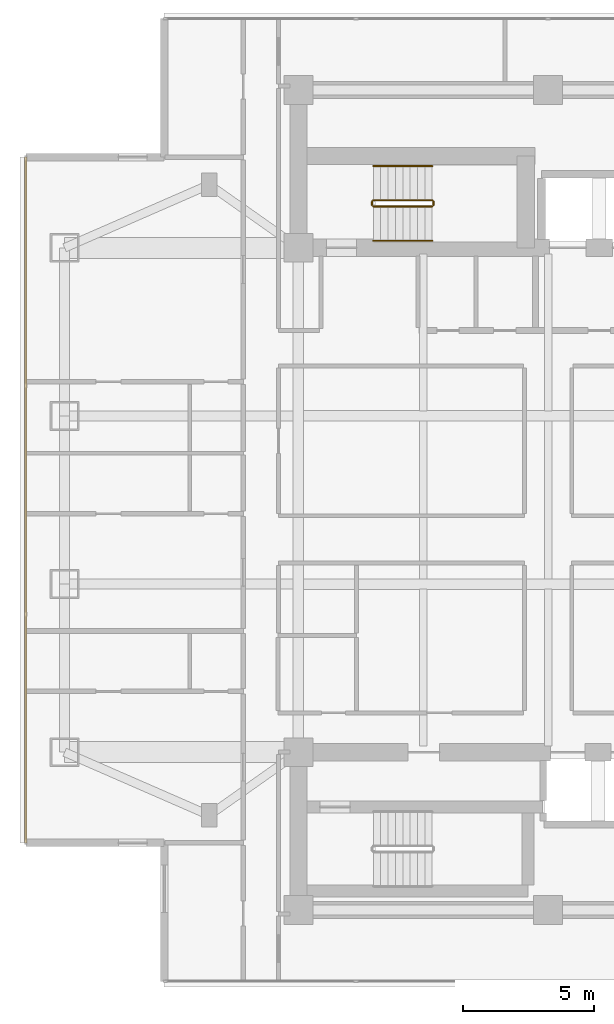
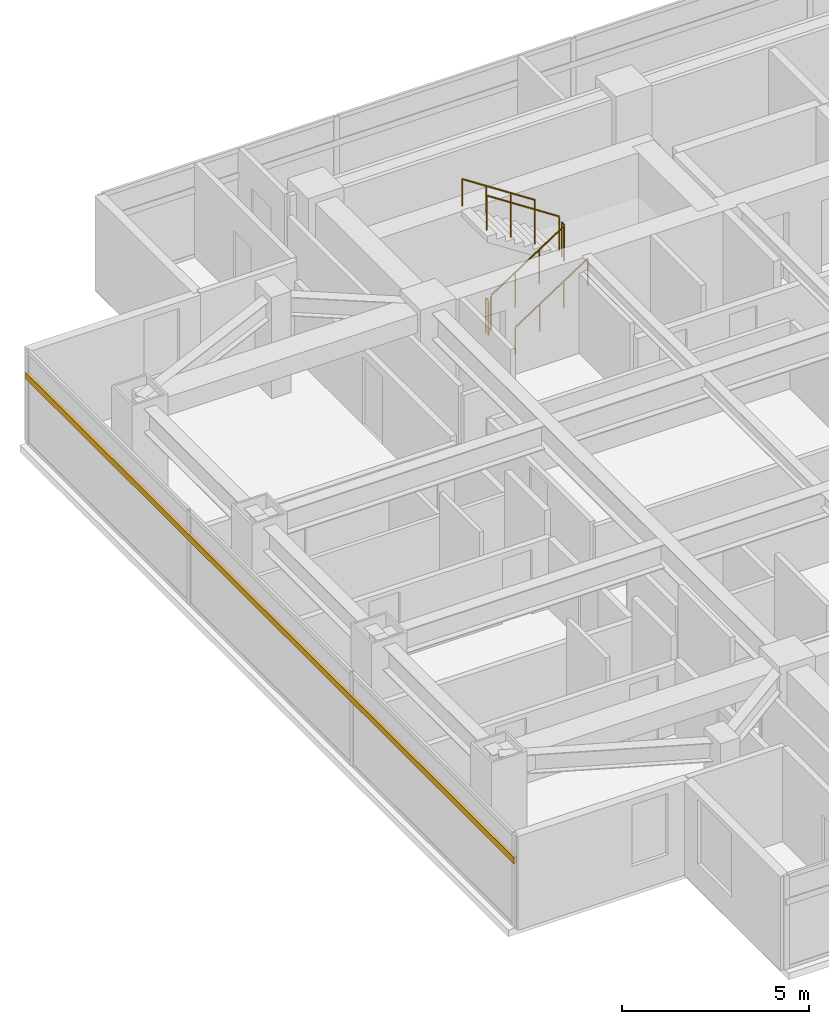
# One storey, part 21 of 24: 6 railings, 1 shading device.
"""IFC4 building model written with IfcOpenShell, lengths in metres."""

from ifc_helpers import new_model, si_unit, direction, frame, origin, origin_2d, place, context, subcontext, project, spatial, rectangle, circle, extrude, material, material_profile, profile_set, type_object, element, save


model = new_model("IFC4")

# Units and contexts
model_context = context("Model", 3, precision=1e-05, world=origin(), true_north=direction((0.0, 1.0)))
body_context = subcontext(model_context, "Body", "Model", "MODEL_VIEW")
ifc_project = project(units=[si_unit("LENGTHUNIT", "METRE"), si_unit("AREAUNIT", "SQUARE_METRE"), si_unit("VOLUMEUNIT", "CUBIC_METRE"), si_unit("PLANEANGLEUNIT", "RADIAN"), si_unit("MASSUNIT", "GRAM", prefix="KILO")], contexts=[model_context])

# Site, building, storey
site_placement = place(None, origin())
site = spatial("IfcSite", under=ifc_project, at=site_placement, CompositionType="ELEMENT")
building_placement = place(site_placement, origin())
building = spatial("IfcBuilding", under=site, at=building_placement, Name="Mirazonda Arch Towers", CompositionType="ELEMENT")
storey_placement = place(building_placement, frame((0.0, 0.0, 118.10009765625)))
storey = spatial("IfcBuildingStorey", under=building, at=storey_placement, Name="L33", CompositionType="ELEMENT", Elevation=118.10009765625)

# Shading device
ifc_material_1 = material(Name="Kiln-Fired Architectural Terracotta", Category="masonry")
ifc_material_profile = material_profile(ifc_material_1, rectangle(XDim=0.10009765625, YDim=0.199951171875, at=origin_2d()), Name="TERRA-BAG-100x200")
ifc_profile_set = profile_set([ifc_material_profile], Name="Kiln-Fired Architectural Terracotta")
shading_device_type = type_object("IfcShadingDeviceType", Name="BAGUETTE-2", PredefinedType="USERDEFINED", material=ifc_profile_set)
shading_device_placement = place(storey_placement, frame((0.6201171875, 41.050048828125, 2.203125), z_axis=(0.0, -1.0, 0.0), x_axis=(1.0, 0.0, 0.0)))
element("IfcShadingDevice", 1, at=shading_device_placement, inside=storey, type_object=shading_device_type, Name="L33 Glazed Terracotta Sun-Screen Baguette CW-L33-T1-W", ObjectType="BAGUETTE", PredefinedType="USERDEFINED", context=body_context, shape_type="SweptSolid", body=[
    extrude(rectangle(XDim=0.10009765625, YDim=0.199951171875, at=origin_2d()), origin(), (0.0, 0.0, 1.0), 26.10009765625),
])

# Railings
ifc_material_2 = material(Name="Architectural Brushed Steel S355", Category="steel")
railing_type_1 = type_object("IfcRailingType", Name="GUARD-STAIR-1120", PredefinedType="GUARDRAIL", material=ifc_material_2)
railing_1_placement = place(storey_placement, frame((13.85009765625, 39.169921875, 0.183349609375)))
element("IfcRailing", 2, at=railing_1_placement, inside=storey, type_object=railing_type_1, Name="L33 ST-T1N stair guard 1", PredefinedType="GUARDRAIL", context=body_context, shape_type="SweptSolid", body=[
    extrude(circle(Radius=0.02392578125, at=origin_2d()), frame((0.0, 0.0, 1.1259765625), z_axis=(0.836636935527, 0.0, 0.547757827979), x_axis=(0.0, 1.0, 0.0)), (0.0, 0.0, 1.0), 2.677490234375),
    extrude(circle(Radius=0.02099609375, at=origin_2d()), origin(), (0.0, 0.0, 1.0), 1.101806640625),
    extrude(circle(Radius=0.02099609375, at=origin_2d()), frame((0.74658203125, 0.0, 0.48876953125)), (0.0, 0.0, 1.0), 1.101806640625),
    extrude(circle(Radius=0.02099609375, at=origin_2d()), frame((1.493408203125, 0.0, 0.977783203125)), (0.0, 0.0, 1.0), 1.101806640625),
    extrude(circle(Radius=0.02099609375, at=origin_2d()), frame((2.239990234375, 0.0, 1.466552734375)), (0.0, 0.0, 1.0), 1.101806640625),
])
railing_2_placement = place(storey_placement, frame((16.139892578125, 39.219970703125, 1.64990234375)))
element("IfcRailing", 3, at=railing_2_placement, inside=storey, type_object=railing_type_1, Name="L33 ST-T1N stair guard 2", PredefinedType="GUARDRAIL", context=body_context, shape_type="SweptSolid", body=[
    extrude(circle(Radius=0.02392578125, at=origin_2d()), frame((0.0, 0.0, 1.1259765625), z_axis=(0.0, 1.0, 0.0), x_axis=(-1.0, 0.0, 0.0)), (0.0, 0.0, 1.0), 0.14013671875),
    extrude(circle(Radius=0.02099609375, at=origin_2d()), origin(), (0.0, 0.0, 1.0), 1.101806640625),
    extrude(circle(Radius=0.02099609375, at=origin_2d()), frame((0.0, 0.14013671875, 0.0)), (0.0, 0.0, 1.0), 1.101806640625),
])
railing_3_placement = place(storey_placement, frame((16.090087890625, 39.409912109375, 1.833251953125)))
element("IfcRailing", 4, at=railing_3_placement, inside=storey, type_object=railing_type_1, Name="L33 ST-T1N stair guard 3", PredefinedType="GUARDRAIL", context=body_context, shape_type="SweptSolid", body=[
    extrude(circle(Radius=0.02392578125, at=origin_2d()), frame((0.0, 0.0, 1.1259765625), z_axis=(-0.836636935527, 0.0, 0.547757827979), x_axis=(0.0, -1.0, 0.0)), (0.0, 0.0, 1.0), 2.677490234375),
    extrude(circle(Radius=0.02099609375, at=origin_2d()), origin(), (0.0, 0.0, 1.0), 1.101806640625),
    extrude(circle(Radius=0.02099609375, at=origin_2d()), frame((-0.74658203125, 0.0, 0.48876953125)), (0.0, 0.0, 1.0), 1.101806640625),
    extrude(circle(Radius=0.02099609375, at=origin_2d()), frame((-1.493408203125, 0.0, 0.977783203125)), (0.0, 0.0, 1.0), 1.101806640625),
    extrude(circle(Radius=0.02099609375, at=origin_2d()), frame((-2.239990234375, 0.0, 1.466552734375)), (0.0, 0.0, 1.0), 1.101806640625),
])
railing_4_placement = place(storey_placement, frame((13.800048828125, 39.219970703125, 0.0)))
element("IfcRailing", 5, at=railing_4_placement, inside=storey, type_object=railing_type_1, Name="L33 ST-T1N stair guard 4", PredefinedType="GUARDRAIL", context=body_context, shape_type="SweptSolid", body=[
    extrude(circle(Radius=0.02392578125, at=origin_2d()), frame((0.0, 0.0, 1.1259765625), z_axis=(0.0, 1.0, 0.0), x_axis=(-1.0, 0.0, 0.0)), (0.0, 0.0, 1.0), 0.14013671875),
    extrude(circle(Radius=0.02099609375, at=origin_2d()), origin(), (0.0, 0.0, 1.0), 1.101806640625),
    extrude(circle(Radius=0.02099609375, at=origin_2d()), frame((0.0, 0.14013671875, 0.0)), (0.0, 0.0, 1.0), 1.101806640625),
])
railing_type_2 = type_object("IfcRailingType", Name="HANDRAIL-915", PredefinedType="HANDRAIL", material=ifc_material_2)
railing_5_placement = place(storey_placement, frame((13.85009765625, 37.8701171875, 0.183349609375)))
element("IfcRailing", 6, at=railing_5_placement, inside=storey, type_object=railing_type_2, Name="L33 ST-T1N stair handrail 1", PredefinedType="HANDRAIL", context=body_context, shape_type="SweptSolid", body=[
    extrude(circle(Radius=0.02392578125, at=origin_2d()), frame((0.0, 0.0, 0.8759765625), z_axis=(0.836636935527, 0.0, 0.547757827979), x_axis=(0.0, 1.0, 0.0)), (0.0, 0.0, 1.0), 2.677490234375),
    extrude(circle(Radius=0.02099609375, at=origin_2d()), origin(), (0.0, 0.0, 1.0), 0.851806640625),
    extrude(circle(Radius=0.02099609375, at=origin_2d()), frame((0.74658203125, 0.0, 0.48876953125)), (0.0, 0.0, 1.0), 0.851806640625),
    extrude(circle(Radius=0.02099609375, at=origin_2d()), frame((1.493408203125, 0.0, 0.977783203125)), (0.0, 0.0, 1.0), 0.851806640625),
    extrude(circle(Radius=0.02099609375, at=origin_2d()), frame((2.239990234375, 0.0, 1.466552734375)), (0.0, 0.0, 1.0), 0.851806640625),
])
railing_6_placement = place(storey_placement, frame((16.090087890625, 40.7099609375, 1.833251953125)))
element("IfcRailing", 7, at=railing_6_placement, inside=storey, type_object=railing_type_2, Name="L33 ST-T1N stair handrail 2", PredefinedType="HANDRAIL", context=body_context, shape_type="SweptSolid", body=[
    extrude(circle(Radius=0.02392578125, at=origin_2d()), frame((0.0, 0.0, 0.8759765625), z_axis=(-0.836636935527, 0.0, 0.547757827979), x_axis=(0.0, -1.0, 0.0)), (0.0, 0.0, 1.0), 2.677490234375),
    extrude(circle(Radius=0.02099609375, at=origin_2d()), origin(), (0.0, 0.0, 1.0), 0.851806640625),
    extrude(circle(Radius=0.02099609375, at=origin_2d()), frame((-0.74658203125, 0.0, 0.48876953125)), (0.0, 0.0, 1.0), 0.851806640625),
    extrude(circle(Radius=0.02099609375, at=origin_2d()), frame((-1.493408203125, 0.0, 0.977783203125)), (0.0, 0.0, 1.0), 0.851806640625),
    extrude(circle(Radius=0.02099609375, at=origin_2d()), frame((-2.239990234375, 0.0, 1.466552734375)), (0.0, 0.0, 1.0), 0.851806640625),
])

save(model, "model.ifc")
